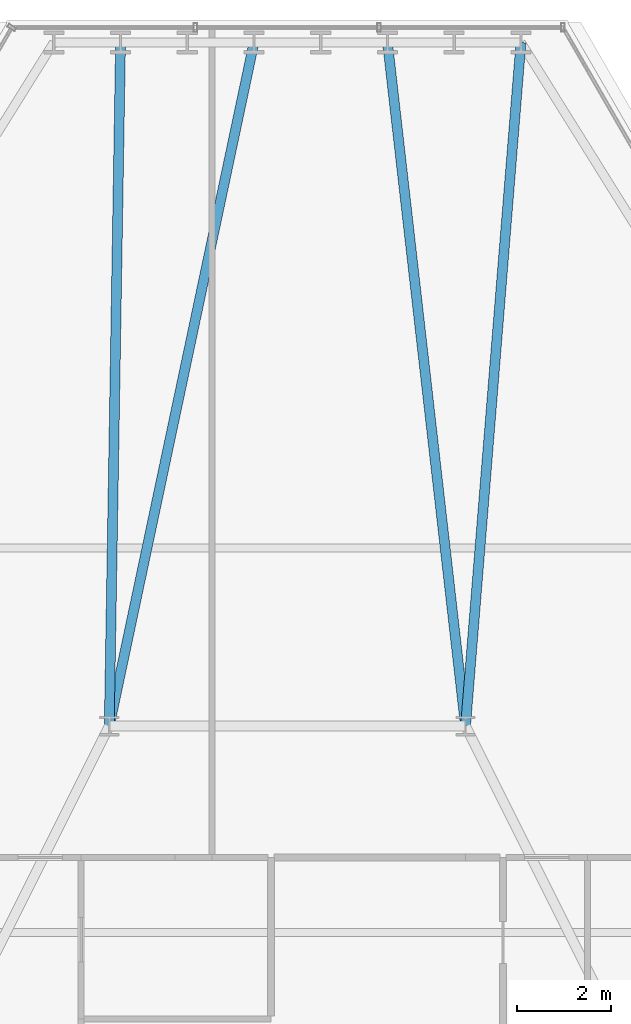
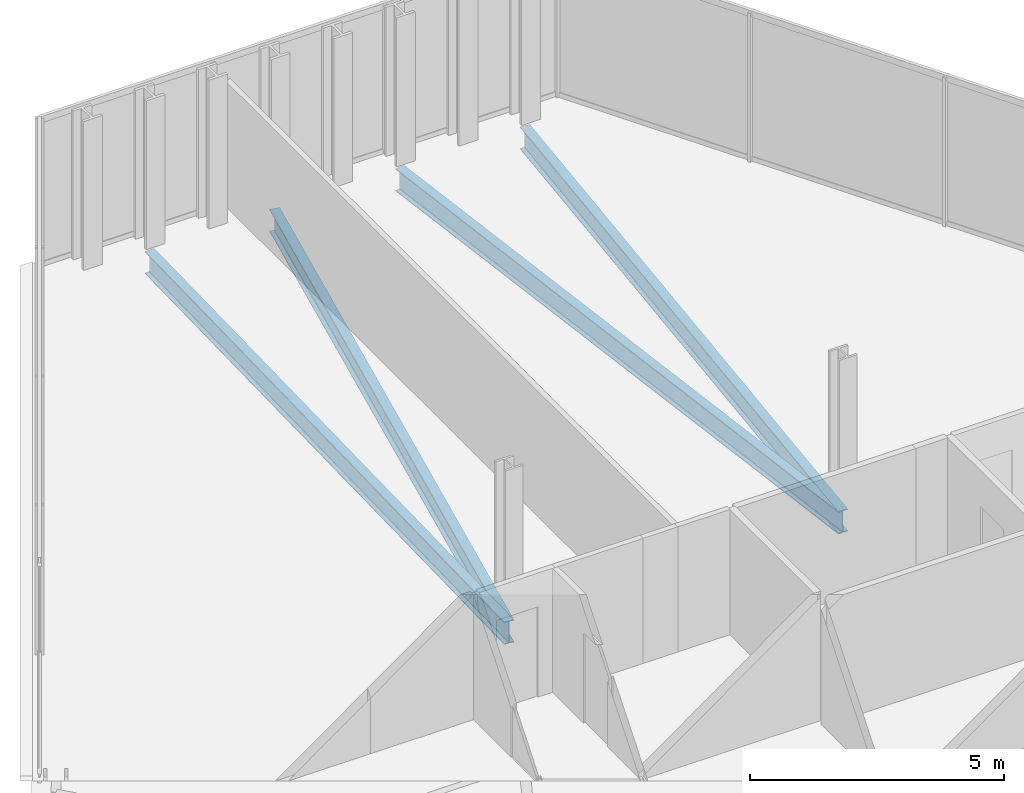
# One storey, part 21 of 31: 4 beams.
"""IFC4 building model written with IfcOpenShell, lengths in metres."""

import ifcopenshell
import ifcopenshell.guid

model = None  # the IFC model being written
_history = None  # IfcOwnerHistory: only IFC2X3 demands one
_inside = {}  # id of a spatial element -> (the spatial element, [elements in it])
_under = {}  # id of a project, library or spatial element -> (it, [spatial elements below it])
_declared = {}  # id of a project -> (the project, [libraries it declares])
_typed = {}  # id of a type object -> (the type object, [elements of that type])
_made_of = {}  # id of a material, layer set ... -> (it, [elements and type objects made of it])


def new_model(schema):
    """Start an empty IFC model of exactly this schema.

    Asked for "IFC4X3", IfcOpenShell would pick the latest addendum, in which some entities
    have other attributes; the version numbers below select the first issue.
    IFC2X3 requires an IfcOwnerHistory on every rooted entity: one is made here for all.
    """
    global model, _history
    if schema == "IFC4X3":
        model = ifcopenshell.file(schema_version=(4, 3, 0, 0))
    else:
        model = ifcopenshell.file(schema=schema)
    _inside.clear()
    _under.clear()
    _declared.clear()
    _typed.clear()
    _made_of.clear()
    _history = None
    if model.schema == "IFC2X3":
        org = make("IfcOrganization", Name="unknown")
        user = make(
            "IfcPersonAndOrganization",
            ThePerson=make("IfcPerson", FamilyName="unknown"),
            TheOrganization=org,
        )
        app = make(
            "IfcApplication",
            ApplicationDeveloper=org,
            Version="unknown",
            ApplicationFullName="unknown",
            ApplicationIdentifier="unknown",
        )
        _history = make(
            "IfcOwnerHistory",
            OwningUser=user,
            OwningApplication=app,
            ChangeAction="ADDED",
            CreationDate=0,
        )
    return model


def make(cls, **values):
    """One entity of the class cls with the attributes given. An attribute that is None is left unset."""
    return model.create_entity(
        cls, **{name: value for name, value in values.items() if value is not None}
    )


def rooted(cls, **values):
    """An entity with a GlobalId (a new one), such as an element, a storey or a relation."""
    return make(cls, GlobalId=ifcopenshell.guid.new(), OwnerHistory=_history, **values)


def si_unit(unit_type, name, prefix=None):
    """IfcSIUnit, for example si_unit("LENGTHUNIT", "METRE", prefix="MILLI")."""
    return make("IfcSIUnit", UnitType=unit_type, Prefix=prefix, Name=name)


def assignment(units):
    """IfcUnitAssignment: the units of a project."""
    return None if units is None else make("IfcUnitAssignment", Units=units)


def point(xyz):
    """IfcCartesianPoint."""
    return None if xyz is None else make("IfcCartesianPoint", Coordinates=xyz)


def direction(xyz):
    """IfcDirection."""
    return None if xyz is None else make("IfcDirection", DirectionRatios=xyz)


def frame(location, z_axis=None, x_axis=None):
    """IfcAxis2Placement3D, a coordinate frame: its origin and axes. An axis left out is left unset."""
    return make(
        "IfcAxis2Placement3D",
        Location=point(location),
        Axis=direction(z_axis),
        RefDirection=direction(x_axis),
    )


def frame_2d(location, x_axis=None):
    """IfcAxis2Placement2D, a coordinate frame in the plane: its origin and x axis."""
    return make(
        "IfcAxis2Placement2D", Location=point(location), RefDirection=direction(x_axis)
    )


def origin():
    """The frame at (0, 0, 0) with its axes left unset."""
    return frame((0.0, 0.0, 0.0))


def origin_2d():
    """The frame at (0, 0) in the plane with its x axis left unset."""
    return frame_2d((0.0, 0.0))


def place(relative_to, where):
    """IfcLocalPlacement: puts the frame where relative to a parent placement (None: the world)."""
    return make(
        "IfcLocalPlacement", PlacementRelTo=relative_to, RelativePlacement=where
    )


def context(
    kind, dimensions, precision=None, world=None, true_north=None, identifier=None
):
    """IfcGeometricRepresentationContext, for example the 3D "Model" context."""
    return make(
        "IfcGeometricRepresentationContext",
        ContextIdentifier=identifier,
        ContextType=kind,
        CoordinateSpaceDimension=dimensions,
        Precision=precision,
        WorldCoordinateSystem=world,
        TrueNorth=true_north,
    )


def subcontext(parent, identifier, kind, view, scale=None):
    """IfcGeometricRepresentationSubContext, for example "Body" below "Model"."""
    return make(
        "IfcGeometricRepresentationSubContext",
        ContextIdentifier=identifier,
        ContextType=kind,
        ParentContext=parent,
        TargetScale=scale,
        TargetView=view,
    )


def project(units=None, contexts=None):
    """IfcProject with its units and contexts."""
    return rooted(
        "IfcProject",
        Name="project",
        RepresentationContexts=contexts,
        UnitsInContext=assignment(units),
    )


def spatial(cls, under=None, at=None, **own):
    """A site, building, storey or space (cls), placed at a placement, below another one or the project."""
    s = rooted(cls, ObjectPlacement=at, **own)
    if under is not None:
        _under.setdefault(under.id(), (under, []))[1].append(s)
    return s


def profile(cls, at=None, kind="AREA", **sizes):
    """A parametric profile (cls). Its sizes go by their IFC names, for example OverallWidth=200.0."""
    return make(cls, ProfileType=kind, Position=at, **sizes)


def i_section(**sizes):
    """IfcIShapeProfileDef."""
    return profile("IfcIShapeProfileDef", **sizes)


def extrude(swept, where, along, depth):
    """IfcExtrudedAreaSolid: the profile swept, set in the frame where, extruded along a direction by depth."""
    return make(
        "IfcExtrudedAreaSolid",
        SweptArea=swept,
        Position=where,
        ExtrudedDirection=direction(along),
        Depth=depth,
    )


def shape(context_of_items, identifier, shape_type, items):
    """IfcShapeRepresentation: the items that make up one representation, for example the "Body"."""
    return make(
        "IfcShapeRepresentation",
        ContextOfItems=context_of_items,
        RepresentationIdentifier=identifier,
        RepresentationType=shape_type,
        Items=items,
    )


def material(Name=None, Category=None):
    """IfcMaterial."""
    return make("IfcMaterial", Name=Name, Category=Category)


def material_profile(
    of_material, cross_section, Name=None, Category=None, Priority=None
):
    """IfcMaterialProfile: a cross section and its material."""
    return make(
        "IfcMaterialProfile",
        Name=Name,
        Material=of_material,
        Profile=cross_section,
        Priority=Priority,
        Category=Category,
    )


def profile_set(profiles, Name=None, composite=None):
    """IfcMaterialProfileSet."""
    return make(
        "IfcMaterialProfileSet",
        Name=Name,
        MaterialProfiles=profiles,
        CompositeProfile=composite,
    )


def made_of(thing, what):
    """Note that an element or type object is made of a material, layer set ...; save() writes the relation."""
    if what is not None:
        _made_of.setdefault(what.id(), (what, []))[1].append(thing)
    return thing


def type_object(cls, material=None, **own):
    """A type object (cls), such as IfcWallType, which elements share."""
    return made_of(rooted(cls, **own), material)


def element(
    cls,
    number,
    at=None,
    inside=None,
    cuts=None,
    type_object=None,
    material=None,
    context=None,
    identifier="Body",
    shape_type=None,
    held_by="IfcProductDefinitionShape",
    body=None,
    shapes=None,
    **own,
):
    """One element of the class cls, such as IfcWall. Its Tag is "e" and its number.

    at: its placement. inside: the storey or other place that contains it. cuts: it is an
    opening in that element (IfcRelVoidsElement). A single representation is given by context,
    identifier, shape_type and body (its items); several are given by shapes. held_by: the class
    of the entity that holds the representations. save() writes the other relations.
    """
    e = rooted(cls, Tag="e%d" % number, ObjectPlacement=at, **own)
    if body is not None:
        shapes = [shape(context, identifier, shape_type, body)]
    if shapes is not None:
        e.Representation = make(held_by, Representations=shapes)
    if inside is not None:
        _inside.setdefault(inside.id(), (inside, []))[1].append(e)
    if cuts is not None:
        rooted(
            "IfcRelVoidsElement", RelatingBuildingElement=cuts, RelatedOpeningElement=e
        )
    if type_object is not None:
        _typed.setdefault(type_object.id(), (type_object, []))[1].append(e)
    return made_of(e, material)


def aggregate(whole, parts):
    """IfcRelAggregates: a whole, such as a stair, and the parts it consists of."""
    return rooted("IfcRelAggregates", RelatingObject=whole, RelatedObjects=parts)


def save(model, path):
    """Write the relations noted so far, then the file.

    IfcRelAggregates (storeys below a building ...), IfcRelContainedInSpatialStructure (elements
    in a storey), IfcRelDefinesByType, IfcRelAssociatesMaterial and IfcRelDeclares: one each for
    every whole, place, type object, material and project.
    """
    for whole, parts in _under.values():
        aggregate(whole, parts)
    for where, things in _inside.values():
        rooted(
            "IfcRelContainedInSpatialStructure",
            RelatedElements=things,
            RelatingStructure=where,
        )
    for kind, things in _typed.values():
        rooted("IfcRelDefinesByType", RelatedObjects=things, RelatingType=kind)
    for what, things in _made_of.values():
        rooted("IfcRelAssociatesMaterial", RelatedObjects=things, RelatingMaterial=what)
    for by, libraries in _declared.values():
        rooted("IfcRelDeclares", RelatingContext=by, RelatedDefinitions=libraries)
    model.write(path)


model = new_model("IFC4")

# Units and contexts
model_context = context("Model", 3, precision=1e-05, world=origin(), true_north=direction((0.0, 1.0)))
body_context = subcontext(model_context, "Body", "Model", "MODEL_VIEW")
ifc_project = project(units=[si_unit("LENGTHUNIT", "METRE"), si_unit("AREAUNIT", "SQUARE_METRE"), si_unit("VOLUMEUNIT", "CUBIC_METRE"), si_unit("PLANEANGLEUNIT", "RADIAN"), si_unit("MASSUNIT", "GRAM", prefix="KILO")], contexts=[model_context])

# Site, building, storey
site_placement = place(None, origin())
site = spatial("IfcSite", under=ifc_project, at=site_placement, CompositionType="ELEMENT")
building_placement = place(site_placement, origin())
building = spatial("IfcBuilding", under=site, at=building_placement, Name="Ndaravel Arena Tower", CompositionType="ELEMENT")
storey_placement = place(building_placement, frame((0.0, 0.0, 138.39990234375)))
storey = spatial("IfcBuildingStorey", under=building, at=storey_placement, Name="L32", CompositionType="ELEMENT", Elevation=138.39990234375)

# Beams
ifc_material = material(Name="Steel S355", Category="steel")
ifc_material_profile = material_profile(ifc_material, i_section(OverallWidth=0.210693359375, OverallDepth=0.53955078125, WebThickness=0.01171875, FlangeThickness=0.018798828125, FilletRadius=0.0126953125, at=origin_2d()), Name="UB 533x210x109")
ifc_profile_set = profile_set([ifc_material_profile], Name="Steel S355")
beam_type = type_object("IfcBeamType", Name="BM-GIRD-UB533", PredefinedType="BEAM", material=ifc_profile_set)
beam_1_placement = place(storey_placement, frame((46.98291015625, 45.784912109375, -0.489501953125), z_axis=(-0.080836028085, -0.99672741337, 0.0), x_axis=(0.99672741337, -0.080836028085, 0.0)))
element("IfcBeam", 1, at=beam_1_placement, inside=storey, type_object=beam_type, Name="L32 Radial Floor Girder FG-11", PredefinedType="BEAM", context=body_context, shape_type="SweptSolid", body=[
    extrude(i_section(OverallWidth=0.210693359375, OverallDepth=0.53955078125, WebThickness=0.01171875, FlangeThickness=0.018798828125, FilletRadius=0.0126953125, at=origin_2d()), origin(), (0.0, 0.0, 1.0), 14.6328125),
])
beam_2_placement = place(storey_placement, frame((44.135498046875, 45.784912109375, -0.489501953125), z_axis=(0.113391802646, -0.993550350557, 0.0), x_axis=(0.993550350557, 0.113391802646, 0.0)))
element("IfcBeam", 2, at=beam_2_placement, inside=storey, type_object=beam_type, Name="L32 Radial Floor Girder FG-13", PredefinedType="BEAM", context=body_context, shape_type="SweptSolid", body=[
    extrude(i_section(OverallWidth=0.210693359375, OverallDepth=0.53955078125, WebThickness=0.01171875, FlangeThickness=0.018798828125, FilletRadius=0.0126953125, at=origin_2d()), origin(), (0.0, 0.0, 1.0), 14.6796875),
])
beam_3_placement = place(storey_placement, frame((41.2880859375, 45.784912109375, -0.489501953125), z_axis=(-0.207141861115, -0.978310916516, 0.0), x_axis=(0.978310916516, -0.207141861115, 0.0)))
element("IfcBeam", 3, at=beam_3_placement, inside=storey, type_object=beam_type, Name="L32 Radial Floor Girder FG-15", PredefinedType="BEAM", context=body_context, shape_type="SweptSolid", body=[
    extrude(i_section(OverallWidth=0.210693359375, OverallDepth=0.53955078125, WebThickness=0.01171875, FlangeThickness=0.018798828125, FilletRadius=0.0126953125, at=origin_2d()), origin(), (0.0, 0.0, 1.0), 14.908203125),
])
beam_4_placement = place(storey_placement, frame((38.44091796875, 45.784912109375, -0.489501953125), z_axis=(-0.016519339141, -0.999863546407, 0.0), x_axis=(0.999863546407, -0.016519339141, 0.0)))
element("IfcBeam", 4, at=beam_4_placement, inside=storey, type_object=beam_type, Name="L32 Radial Floor Girder FG-17", PredefinedType="BEAM", context=body_context, shape_type="SweptSolid", body=[
    extrude(i_section(OverallWidth=0.210693359375, OverallDepth=0.53955078125, WebThickness=0.01171875, FlangeThickness=0.018798828125, FilletRadius=0.0126953125, at=origin_2d()), origin(), (0.0, 0.0, 1.0), 14.5869140625),
])

save(model, "model.ifc")
